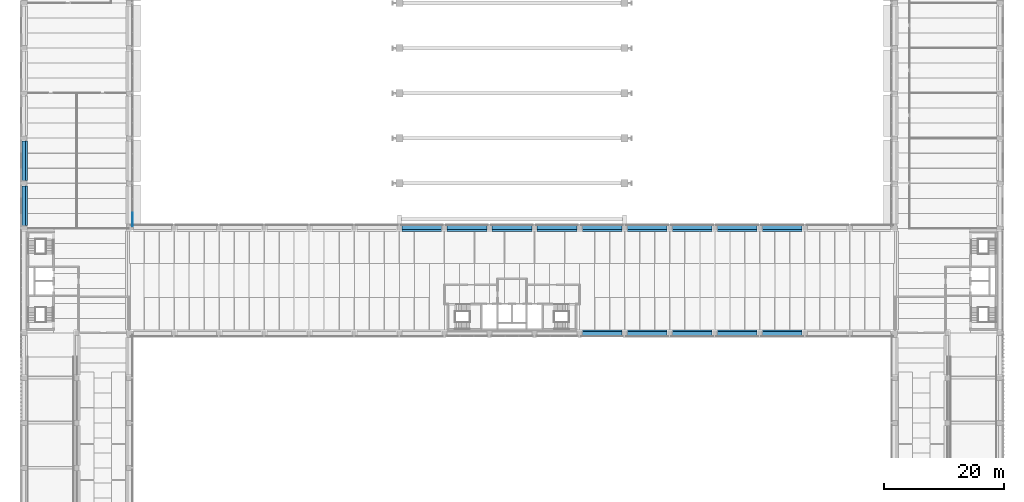
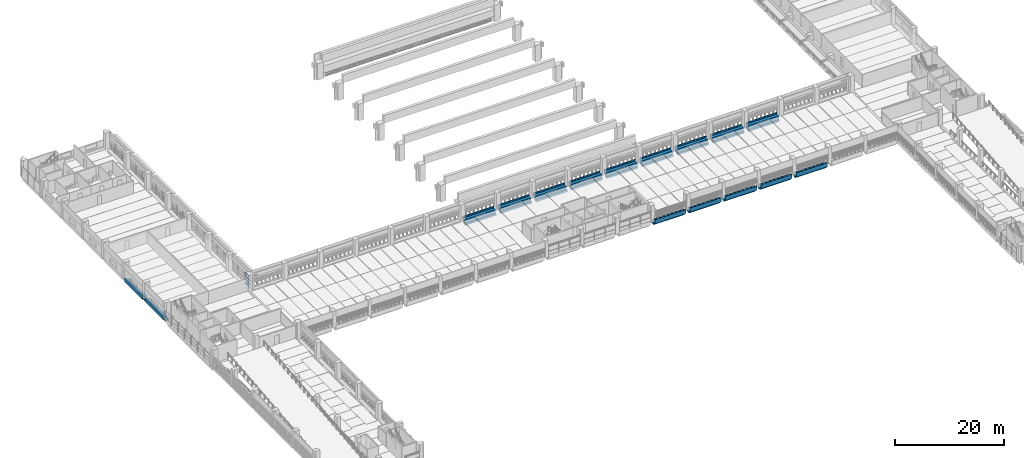
# One storey, part 8 of 61: 16 beams, 4 members, 1 element without a shape of its own.
"""IFC4 building model written with IfcOpenShell, lengths in metres."""

from ifc_helpers import new_model, si_unit, direction, frame, origin, origin_2d, place, context, subcontext, project, spatial, polyline, rectangle, outline, extrude, material, layer, layer_set, material_profile, profile_set, type_object, element, aggregate, save


model = new_model("IFC4")

# Units and contexts
model_context = context("Model", 3, precision=1e-05, world=origin(), true_north=direction((0.0, 1.0)))
body_context = subcontext(model_context, "Body", "Model", "MODEL_VIEW")
ifc_project = project(units=[si_unit("LENGTHUNIT", "METRE"), si_unit("AREAUNIT", "SQUARE_METRE"), si_unit("VOLUMEUNIT", "CUBIC_METRE"), si_unit("PLANEANGLEUNIT", "RADIAN"), si_unit("MASSUNIT", "GRAM", prefix="KILO")], contexts=[model_context])

# Site, building, storey
site_placement = place(None, origin())
site = spatial("IfcSite", under=ifc_project, at=site_placement, CompositionType="ELEMENT")
building_placement = place(site_placement, origin())
building = spatial("IfcBuilding", under=site, at=building_placement, Name="Cour d'Honneur Mobility Palace", CompositionType="ELEMENT")
storey_placement = place(building_placement, frame((0.0, 0.0, 11.89990234375)))
storey = spatial("IfcBuildingStorey", under=building, at=storey_placement, Name="L03", CompositionType="ELEMENT", Elevation=11.89990234375)

# Curtain wall, members
ifc_material_1 = material(Name="Aluminium and glass", Category="aluminium")
ifc_layer = layer(ifc_material_1, 0.10009765625)
ifc_layer_set = layer_set([ifc_layer], Name="Aluminium and glass")
curtain_wall_type = type_object("IfcCurtainWallType", Name="Curtain wall run", PredefinedType="NOTDEFINED", material=ifc_layer_set)
curtain_wall_placement = place(storey_placement, origin())
curtain_wall = element("IfcCurtainWall", 1, at=curtain_wall_placement, inside=storey, type_object=curtain_wall_type, Name="Curtain wall CW-30", PredefinedType="NOTDEFINED")
ifc_material_2 = material(Name="Aluminium", Category="aluminium")
ifc_material_profile_1 = material_profile(ifc_material_2, rectangle(XDim=0.06005859375, YDim=0.1201171875, at=origin_2d()), Name="Curtain wall transom")
ifc_profile_set_1 = profile_set([ifc_material_profile_1], Name="Aluminium")
member_type = type_object("IfcMemberType", Name="Curtain wall transom", PredefinedType="USERDEFINED", material=ifc_profile_set_1)
member_1_placement = place(storey_placement, frame((17.949951171875, 62.760009765625, 0.030029296875), z_axis=(0.0, 1.0, 0.0), x_axis=(-1.0, 0.0, 0.0)))
member_1 = element("IfcMember", 2, at=member_1_placement, type_object=member_type, Name="CW-30 transom 1.1", ObjectType="TRANSOM", PredefinedType="USERDEFINED", context=body_context, shape_type="SweptSolid", body=[
    extrude(rectangle(XDim=0.06005859375, YDim=0.1201171875, at=origin_2d()), origin(), (0.0, 0.0, 1.0), 2.2099609375),
])
member_2_placement = place(storey_placement, frame((17.949951171875, 62.760009765625, 0.766845703125), z_axis=(0.0, 1.0, 0.0), x_axis=(-1.0, 0.0, 0.0)))
member_2 = element("IfcMember", 3, at=member_2_placement, type_object=member_type, Name="CW-30 transom 1.2", ObjectType="TRANSOM", PredefinedType="USERDEFINED", context=body_context, shape_type="SweptSolid", body=[
    extrude(rectangle(XDim=0.06005859375, YDim=0.1201171875, at=origin_2d()), origin(), (0.0, 0.0, 1.0), 2.2099609375),
])
member_3_placement = place(storey_placement, frame((17.949951171875, 62.760009765625, 1.533447265625), z_axis=(0.0, 1.0, 0.0), x_axis=(-1.0, 0.0, 0.0)))
member_3 = element("IfcMember", 4, at=member_3_placement, type_object=member_type, Name="CW-30 transom 1.3", ObjectType="TRANSOM", PredefinedType="USERDEFINED", context=body_context, shape_type="SweptSolid", body=[
    extrude(rectangle(XDim=0.06005859375, YDim=0.1201171875, at=origin_2d()), origin(), (0.0, 0.0, 1.0), 2.2099609375),
])
member_4_placement = place(storey_placement, frame((17.949951171875, 62.760009765625, 2.27001953125), z_axis=(0.0, 1.0, 0.0), x_axis=(-1.0, 0.0, 0.0)))
member_4 = element("IfcMember", 5, at=member_4_placement, type_object=member_type, Name="CW-30 transom 1.4", ObjectType="TRANSOM", PredefinedType="USERDEFINED", context=body_context, shape_type="SweptSolid", body=[
    extrude(rectangle(XDim=0.06005859375, YDim=0.1201171875, at=origin_2d()), origin(), (0.0, 0.0, 1.0), 2.2099609375),
])
aggregate(curtain_wall, [member_1, member_2, member_3, member_4])

# Beams
ifc_material_3 = material(Name="Concrete C45", Category="concrete")
ifc_material_profile_2 = material_profile(ifc_material_3, outline(polyline([(0.5, -1.10009765625), (0.5, -0.75), (0.199951171875, -0.75), (0.199951171875, 0.0), (-0.199951171875, 0.0), (-0.449951171875, 0.0), (-0.449951171875, 0.300048828125), (-0.64990234375, 0.300048828125), (-0.64990234375, -0.60009765625), (-0.199951171875, -0.60009765625), (-0.199951171875, -1.10009765625), (0.5, -1.10009765625)])), Name="Ledger Beam 400x1100 ledge left 350 facade right")
ifc_profile_set_2 = profile_set([ifc_material_profile_2], Name="Concrete C45")
beam_type_1 = type_object("IfcBeamType", Name="Ledger Beam 400x1100 ledge left 350 facade right", PredefinedType="BEAM", material=ifc_profile_set_2)
for number, where, z_axis, x_axis, name in (
    (6, (92.85009765625, 45.0, 0.0), (1.0, 0.0, 0.0), (0.0, 1.0, 0.0), "Precast beam B2 12-13 L03"),
    (7, (100.35009765625, 45.0, 0.0), (1.0, 0.0, 0.0), (0.0, 1.0, 0.0), "Precast beam B2 13-14 L03"),
    (8, (107.85009765625, 45.0, 0.0), (1.0, 0.0, 0.0), (0.0, 1.0, 0.0), "Precast beam B2 14-15 L03"),
    (9, (115.35009765625, 45.0, 0.0), (1.0, 0.0, 0.0), (0.0, 1.0, 0.0), "Precast beam B2 15-16 L03"),
    (10, (122.85009765625, 45.0, 0.0), (1.0, 0.0, 0.0), (0.0, 1.0, 0.0), "Precast beam B2 16-17 L03"),
):
    element("IfcBeam", number, at=place(storey_placement, frame(where, z_axis=z_axis, x_axis=x_axis)), inside=storey, type_object=beam_type_1, Name=name, PredefinedType="BEAM", context=body_context, shape_type="SweptSolid", body=[
        extrude(outline(polyline([(0.5, -1.10009765625), (0.5, -0.75), (0.199951171875, -0.75), (0.199951171875, 0.0), (-0.199951171875, 0.0), (-0.449951171875, 0.0), (-0.449951171875, 0.300048828125), (-0.64990234375, 0.300048828125), (-0.64990234375, -0.60009765625), (-0.199951171875, -0.60009765625), (-0.199951171875, -1.10009765625), (0.5, -1.10009765625)])), origin(), (0.0, 0.0, 1.0), 6.599853515625),
    ])
ifc_material_4 = material(Name="Concrete C45", Category="concrete")
ifc_material_profile_3 = material_profile(ifc_material_4, outline(polyline([(0.199951171875, -1.10009765625), (0.199951171875, -0.60009765625), (0.64990234375, -0.60009765625), (0.64990234375, 0.300048828125), (0.449951171875, 0.300048828125), (0.449951171875, 0.0), (0.199951171875, 0.0), (-0.199951171875, 0.0), (-0.199951171875, -0.75), (-0.5, -0.75), (-0.5, -1.10009765625), (0.199951171875, -1.10009765625)])), Name="Ledger Beam 400x1100 ledge right 350 facade left")
ifc_profile_set_3 = profile_set([ifc_material_profile_3], Name="Concrete C45")
beam_type_2 = type_object("IfcBeamType", Name="Ledger Beam 400x1100 ledge right 350 facade left", PredefinedType="BEAM", material=ifc_profile_set_3)
for number, where, z_axis, x_axis, name in (
    (11, (62.85009765625, 62.39990234375, 0.0), (1.0, 0.0, 0.0), (0.0, 1.0, 0.0), "Precast beam B4 8-9 L03"),
    (12, (92.85009765625, 62.39990234375, 0.0), (1.0, 0.0, 0.0), (0.0, 1.0, 0.0), "Precast beam B4 12-13 L03"),
    (13, (100.35009765625, 62.39990234375, 0.0), (1.0, 0.0, 0.0), (0.0, 1.0, 0.0), "Precast beam B4 13-14 L03"),
    (14, (107.85009765625, 62.39990234375, 0.0), (1.0, 0.0, 0.0), (0.0, 1.0, 0.0), "Precast beam B4 14-15 L03"),
    (15, (115.35009765625, 62.39990234375, 0.0), (1.0, 0.0, 0.0), (0.0, 1.0, 0.0), "Precast beam B4 15-16 L03"),
    (16, (122.85009765625, 62.39990234375, 0.0), (1.0, 0.0, 0.0), (0.0, 1.0, 0.0), "Precast beam B4 16-17 L03"),
    (17, (0.0, 62.85009765625, 0.0), (0.0, 1.0, 0.0), (-1.0, 0.0, 0.0), "Precast beam B4 H-J L03"),
    (18, (0.0, 70.35009765625, 0.0), (0.0, 1.0, 0.0), (-1.0, 0.0, 0.0), "Precast beam B4 J-K L03"),
):
    element("IfcBeam", number, at=place(storey_placement, frame(where, z_axis=z_axis, x_axis=x_axis)), inside=storey, type_object=beam_type_2, Name=name, PredefinedType="BEAM", context=body_context, shape_type="SweptSolid", body=[
        extrude(outline(polyline([(0.199951171875, -1.10009765625), (0.199951171875, -0.60009765625), (0.64990234375, -0.60009765625), (0.64990234375, 0.300048828125), (0.449951171875, 0.300048828125), (0.449951171875, 0.0), (0.199951171875, 0.0), (-0.199951171875, 0.0), (-0.199951171875, -0.75), (-0.5, -0.75), (-0.5, -1.10009765625), (0.199951171875, -1.10009765625)])), origin(), (0.0, 0.0, 1.0), 6.599853515625),
    ])
ifc_material_5 = material(Name="Concrete C45", Category="concrete")
ifc_material_profile_4 = material_profile(ifc_material_5, outline(polyline([(0.199951171875, -1.10009765625), (0.199951171875, -0.60009765625), (0.64990234375, -0.60009765625), (0.64990234375, 0.300048828125), (0.449951171875, 0.300048828125), (0.449951171875, 0.0), (0.199951171875, 0.0), (-0.199951171875, 0.0), (-0.199951171875, -0.64990234375), (-0.5, -0.64990234375), (-0.5, -1.10009765625), (0.199951171875, -1.10009765625)])), Name="Ledger Beam 400x1100 ledge right 450 facade left")
ifc_profile_set_4 = profile_set([ifc_material_profile_4], Name="Concrete C45")
beam_type_3 = type_object("IfcBeamType", Name="Ledger Beam 400x1100 ledge right 450 facade left", PredefinedType="BEAM", material=ifc_profile_set_4)
for number, where, z_axis, x_axis, name in (
    (19, (70.35009765625, 62.39990234375, 0.0), (1.0, 0.0, 0.0), (0.0, 1.0, 0.0), "Precast beam B5 9-10 L03"),
    (20, (77.85009765625, 62.39990234375, 0.0), (1.0, 0.0, 0.0), (0.0, 1.0, 0.0), "Precast beam B5 10-11 L03"),
    (21, (85.35009765625, 62.39990234375, 0.0), (1.0, 0.0, 0.0), (0.0, 1.0, 0.0), "Precast beam B5 11-12 L03"),
):
    element("IfcBeam", number, at=place(storey_placement, frame(where, z_axis=z_axis, x_axis=x_axis)), inside=storey, type_object=beam_type_3, Name=name, PredefinedType="BEAM", context=body_context, shape_type="SweptSolid", body=[
        extrude(outline(polyline([(0.199951171875, -1.10009765625), (0.199951171875, -0.60009765625), (0.64990234375, -0.60009765625), (0.64990234375, 0.300048828125), (0.449951171875, 0.300048828125), (0.449951171875, 0.0), (0.199951171875, 0.0), (-0.199951171875, 0.0), (-0.199951171875, -0.64990234375), (-0.5, -0.64990234375), (-0.5, -1.10009765625), (0.199951171875, -1.10009765625)])), origin(), (0.0, 0.0, 1.0), 6.599853515625),
    ])

save(model, "model.ifc")
